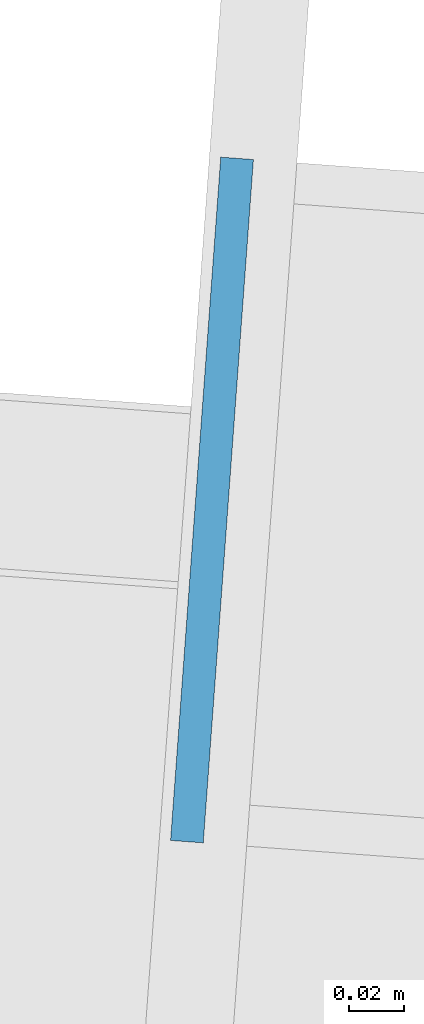
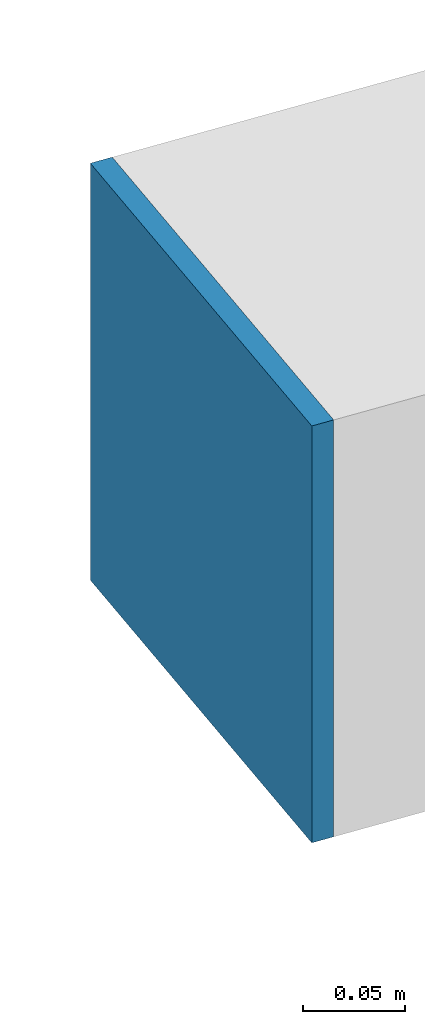
# One storey, part 33 of 42: 1 plate.
"""IFC4 building model written with IfcOpenShell, lengths in metres."""

from ifc_helpers import new_model, si_unit, direction, frame, origin, origin_2d, place, context, subcontext, project, spatial, rectangle, extrude, source, transform, mapped, material, layer, layer_set, type_object, element, save


model = new_model("IFC4")

# Units and contexts
model_context = context("Model", 3, precision=1e-05, world=origin(), true_north=direction((0.0, 1.0)))
body_context = subcontext(model_context, "Body", "Model", "MODEL_VIEW")
ifc_project = project(units=[si_unit("LENGTHUNIT", "METRE"), si_unit("AREAUNIT", "SQUARE_METRE"), si_unit("VOLUMEUNIT", "CUBIC_METRE"), si_unit("PLANEANGLEUNIT", "RADIAN"), si_unit("MASSUNIT", "GRAM", prefix="KILO")], contexts=[model_context])

# Site, building, storey
site_placement = place(None, origin())
site = spatial("IfcSite", under=ifc_project, at=site_placement, CompositionType="ELEMENT")
building_placement = place(site_placement, origin())
building = spatial("IfcBuilding", under=site, at=building_placement, Name="Taldren Reach Tower", CompositionType="ELEMENT")
storey_placement = place(building_placement, frame((0.0, 0.0, 220.85009765625)))
storey = spatial("IfcBuildingStorey", under=building, at=storey_placement, Name="L67", CompositionType="ELEMENT", Elevation=220.85009765625)

# Plate
ifc_material = material(Name="Steel Gr 350 (C350L0)", Category="steel")
ifc_layer = layer(ifc_material, 0.011962890625)
ifc_layer_set = layer_set([ifc_layer], Name="Steel Gr 350 (C350L0)")
plate_type = type_object("IfcPlateType", Name="PL-CAP-250", PredefinedType="SHEET", material=ifc_layer_set)
shared_shape = source(origin(), body_context, "Body", "SweptSolid", [
    extrude(rectangle(XDim=0.011962890625, YDim=0.25, at=origin_2d()), origin(), (0.0, 0.0, 1.0), 0.25),
])
plate_placement = place(storey_placement, frame((12.406494140625, 33.483154296875, 0.094970703125), z_axis=(0.0, 0.0, 1.0), x_axis=(0.997314477224, -0.073238197128, 0.0)))
element("IfcPlate", 1, at=plate_placement, inside=storey, type_object=plate_type, Name="Tie strut end cap plate B5-W3 L67", PredefinedType="SHEET", context=body_context, shape_type="MappedRepresentation", body=[
    mapped(shared_shape, transform((0.0, 0.0, 0.0), scale=1.0)),
])

save(model, "model.ifc")
